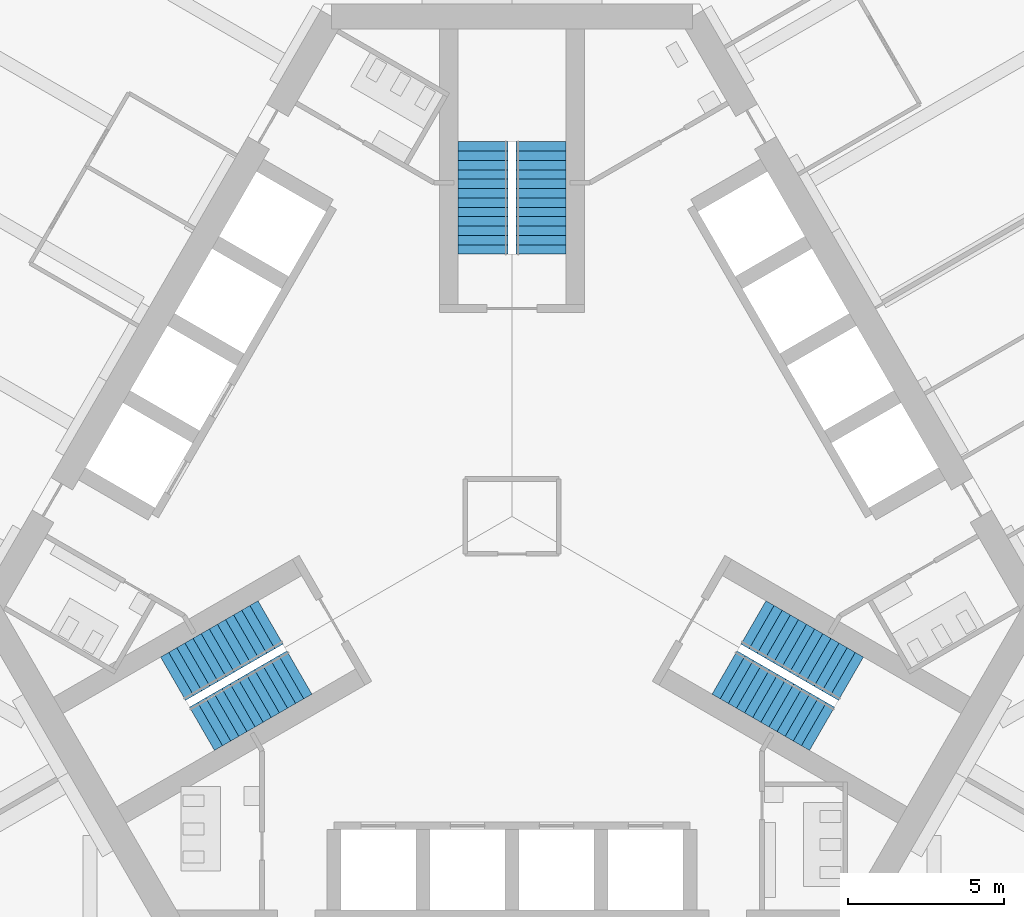
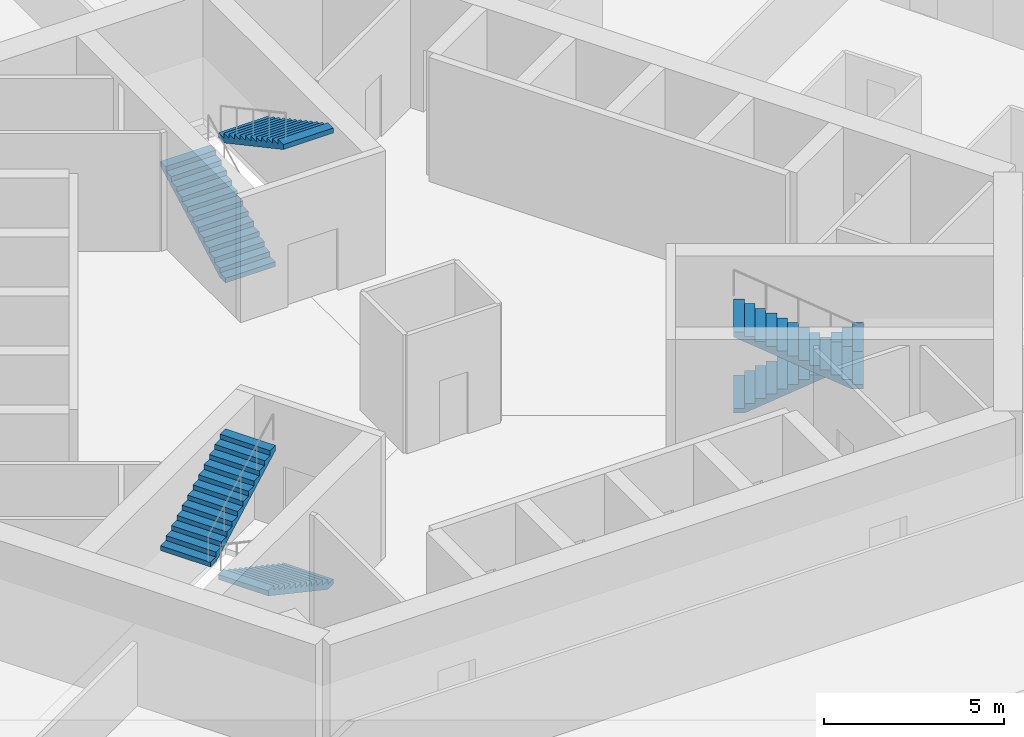
# One storey, part 14 of 19: 6 stair flights, 3 elements without a shape of their own.
"""IFC4 building model written with IfcOpenShell, lengths in metres."""

from ifc_helpers import new_model, si_unit, direction, frame, origin, place, context, subcontext, project, spatial, polyline, outline, extrude, material, type_object, element, aggregate, save


model = new_model("IFC4")

# Units and contexts
model_context = context("Model", 3, precision=1e-05, world=origin(), true_north=direction((0.0, 1.0)))
body_context = subcontext(model_context, "Body", "Model", "MODEL_VIEW")
ifc_project = project(units=[si_unit("LENGTHUNIT", "METRE"), si_unit("AREAUNIT", "SQUARE_METRE"), si_unit("VOLUMEUNIT", "CUBIC_METRE"), si_unit("PLANEANGLEUNIT", "RADIAN"), si_unit("MASSUNIT", "GRAM", prefix="KILO")], contexts=[model_context])

# Site, building, storey
site_placement = place(None, origin())
site = spatial("IfcSite", under=ifc_project, at=site_placement, CompositionType="ELEMENT")
building_placement = place(site_placement, origin())
building = spatial("IfcBuilding", under=site, at=building_placement, Name="Trefoil Bronze Tower", CompositionType="ELEMENT")
storey_placement = place(building_placement, frame((0.0, 0.0, 83.699951171875)))
storey = spatial("IfcBuildingStorey", under=building, at=storey_placement, Name="L19", CompositionType="ELEMENT", Elevation=83.699951171875)

# Stair, stair flights
ifc_material_1 = material(Name="Precast concrete B80", Category="concrete")
stair_type = type_object("IfcStairType", Name="Exit stair 26 risers", PredefinedType="HALF_TURN_STAIR", material=ifc_material_1)
stair_1_placement = place(storey_placement, origin())
stair_1 = element("IfcStair", 1, at=stair_1_placement, inside=storey, type_object=stair_type, Name="Stair ST1 L19", PredefinedType="HALF_TURN_STAIR")
ifc_material_2 = material(Name="Precast concrete B80", Category="concrete")
stair_flight_type = type_object("IfcStairFlightType", Name="Stair flight 1600", PredefinedType="STRAIGHT", material=ifc_material_2)
stair_flight_1_placement = place(storey_placement, frame((7.728515625, -3.39404296875, 0.0), z_axis=(0.0, 0.0, 1.0), x_axis=(0.866025403784, -0.5, 0.0)))
stair_flight_1 = element("IfcStairFlight", 2, at=stair_flight_1_placement, type_object=stair_flight_type, Name="ST1 flight 1", NumberOfRisers=13, NumberOfTreads=12, PredefinedType="STRAIGHT", RiserHeight=0.161538462, TreadLength=0.3, context=body_context, shape_type="SweptSolid", body=[
    extrude(outline(polyline([(0.0, 0.0), (0.0, 0.16162109375), (0.300048828125, 0.16162109375), (0.300048828125, 0.322998046875), (0.60009765625, 0.322998046875), (0.60009765625, 0.484619140625), (0.89990234375, 0.484619140625), (0.89990234375, 0.646240234375), (1.199951171875, 0.646240234375), (1.199951171875, 0.8076171875), (1.5, 0.8076171875), (1.5, 0.96923828125), (1.800048828125, 0.96923828125), (1.800048828125, 1.130859375), (2.10009765625, 1.130859375), (2.10009765625, 1.292236328125), (2.39990234375, 1.292236328125), (2.39990234375, 1.453857421875), (2.699951171875, 1.453857421875), (2.699951171875, 1.615478515625), (3.0, 1.615478515625), (3.0, 1.77685546875), (3.300048828125, 1.77685546875), (3.300048828125, 1.9384765625), (3.60009765625, 1.9384765625), (3.60009765625, 2.10009765625), (3.60009765625, 1.768310546875), (0.316162109375, 0.0), (0.0, 0.0)])), frame((0.0, 0.800048828125, 0.0), z_axis=(0.0, -1.0, 0.0), x_axis=(1.0, 0.0, 0.0)), (0.0, 0.0, 1.0), 1.60009765625),
])
stair_flight_2_placement = place(storey_placement, frame((9.921142578125, -6.796142578125, 2.10009765625), z_axis=(0.0, 0.0, 1.0), x_axis=(-0.866025403784, 0.5, 0.0)))
stair_flight_2 = element("IfcStairFlight", 3, at=stair_flight_2_placement, type_object=stair_flight_type, Name="ST1 flight 2", NumberOfRisers=13, NumberOfTreads=12, PredefinedType="STRAIGHT", RiserHeight=0.161538462, TreadLength=0.3, context=body_context, shape_type="SweptSolid", body=[
    extrude(outline(polyline([(0.0, 0.0), (0.0, 0.16162109375), (0.300048828125, 0.16162109375), (0.300048828125, 0.322998046875), (0.60009765625, 0.322998046875), (0.60009765625, 0.484619140625), (0.89990234375, 0.484619140625), (0.89990234375, 0.646240234375), (1.199951171875, 0.646240234375), (1.199951171875, 0.8076171875), (1.5, 0.8076171875), (1.5, 0.96923828125), (1.800048828125, 0.96923828125), (1.800048828125, 1.130859375), (2.10009765625, 1.130859375), (2.10009765625, 1.292236328125), (2.39990234375, 1.292236328125), (2.39990234375, 1.453857421875), (2.699951171875, 1.453857421875), (2.699951171875, 1.615478515625), (3.0, 1.615478515625), (3.0, 1.77685546875), (3.300048828125, 1.77685546875), (3.300048828125, 1.9384765625), (3.60009765625, 1.9384765625), (3.60009765625, 2.10009765625), (3.60009765625, 1.768310546875), (0.316162109375, 0.0), (0.0, 0.0)])), frame((0.0, 0.800048828125, 0.0), z_axis=(0.0, -1.0, 0.0), x_axis=(1.0, 0.0, 0.0)), (0.0, 0.0, 1.0), 1.60009765625),
])
aggregate(stair_1, [stair_flight_1, stair_flight_2])

stair_2_placement = place(storey_placement, origin())
stair_2 = element("IfcStair", 4, at=stair_2_placement, inside=storey, type_object=stair_type, Name="Stair ST2 L19", PredefinedType="HALF_TURN_STAIR")
stair_flight_3_placement = place(storey_placement, frame((-0.925048828125, 8.389892578125, 0.0), z_axis=(0.0, 0.0, 1.0), x_axis=(0.0, 1.0, 0.0)))
stair_flight_3 = element("IfcStairFlight", 5, at=stair_flight_3_placement, type_object=stair_flight_type, Name="ST2 flight 1", NumberOfRisers=13, NumberOfTreads=12, PredefinedType="STRAIGHT", RiserHeight=0.161538462, TreadLength=0.3, context=body_context, shape_type="SweptSolid", body=[
    extrude(outline(polyline([(0.0, 0.0), (0.0, 0.16162109375), (0.300048828125, 0.16162109375), (0.300048828125, 0.322998046875), (0.60009765625, 0.322998046875), (0.60009765625, 0.484619140625), (0.89990234375, 0.484619140625), (0.89990234375, 0.646240234375), (1.199951171875, 0.646240234375), (1.199951171875, 0.8076171875), (1.5, 0.8076171875), (1.5, 0.96923828125), (1.800048828125, 0.96923828125), (1.800048828125, 1.130859375), (2.10009765625, 1.130859375), (2.10009765625, 1.292236328125), (2.39990234375, 1.292236328125), (2.39990234375, 1.453857421875), (2.699951171875, 1.453857421875), (2.699951171875, 1.615478515625), (3.0, 1.615478515625), (3.0, 1.77685546875), (3.300048828125, 1.77685546875), (3.300048828125, 1.9384765625), (3.60009765625, 1.9384765625), (3.60009765625, 2.10009765625), (3.60009765625, 1.768310546875), (0.316162109375, 0.0), (0.0, 0.0)])), frame((0.0, 0.800048828125, 0.0), z_axis=(0.0, -1.0, 0.0), x_axis=(1.0, 0.0, 0.0)), (0.0, 0.0, 1.0), 1.60009765625),
])
stair_flight_4_placement = place(storey_placement, frame((0.925048828125, 11.989990234375, 2.10009765625), z_axis=(0.0, 0.0, 1.0), x_axis=(0.0, -1.0, 0.0)))
stair_flight_4 = element("IfcStairFlight", 6, at=stair_flight_4_placement, type_object=stair_flight_type, Name="ST2 flight 2", NumberOfRisers=13, NumberOfTreads=12, PredefinedType="STRAIGHT", RiserHeight=0.161538462, TreadLength=0.3, context=body_context, shape_type="SweptSolid", body=[
    extrude(outline(polyline([(0.0, 0.0), (0.0, 0.16162109375), (0.300048828125, 0.16162109375), (0.300048828125, 0.322998046875), (0.60009765625, 0.322998046875), (0.60009765625, 0.484619140625), (0.89990234375, 0.484619140625), (0.89990234375, 0.646240234375), (1.199951171875, 0.646240234375), (1.199951171875, 0.8076171875), (1.5, 0.8076171875), (1.5, 0.96923828125), (1.800048828125, 0.96923828125), (1.800048828125, 1.130859375), (2.10009765625, 1.130859375), (2.10009765625, 1.292236328125), (2.39990234375, 1.292236328125), (2.39990234375, 1.453857421875), (2.699951171875, 1.453857421875), (2.699951171875, 1.615478515625), (3.0, 1.615478515625), (3.0, 1.77685546875), (3.300048828125, 1.77685546875), (3.300048828125, 1.9384765625), (3.60009765625, 1.9384765625), (3.60009765625, 2.10009765625), (3.60009765625, 1.768310546875), (0.316162109375, 0.0), (0.0, 0.0)])), frame((0.0, 0.800048828125, 0.0), z_axis=(0.0, -1.0, 0.0), x_axis=(1.0, 0.0, 0.0)), (0.0, 0.0, 1.0), 1.60009765625),
])
aggregate(stair_2, [stair_flight_3, stair_flight_4])

stair_3_placement = place(storey_placement, origin())
stair_3 = element("IfcStair", 7, at=stair_3_placement, inside=storey, type_object=stair_type, Name="Stair ST3 L19", PredefinedType="HALF_TURN_STAIR")
stair_flight_5_placement = place(storey_placement, frame((-6.803466796875, -4.99609375, 0.0), z_axis=(0.0, 0.0, 1.0), x_axis=(-0.866025403784, -0.5, 0.0)))
stair_flight_5 = element("IfcStairFlight", 8, at=stair_flight_5_placement, type_object=stair_flight_type, Name="ST3 flight 1", NumberOfRisers=13, NumberOfTreads=12, PredefinedType="STRAIGHT", RiserHeight=0.161538462, TreadLength=0.3, context=body_context, shape_type="SweptSolid", body=[
    extrude(outline(polyline([(0.0, 0.0), (0.0, 0.16162109375), (0.300048828125, 0.16162109375), (0.300048828125, 0.322998046875), (0.60009765625, 0.322998046875), (0.60009765625, 0.484619140625), (0.89990234375, 0.484619140625), (0.89990234375, 0.646240234375), (1.199951171875, 0.646240234375), (1.199951171875, 0.8076171875), (1.5, 0.8076171875), (1.5, 0.96923828125), (1.800048828125, 0.96923828125), (1.800048828125, 1.130859375), (2.10009765625, 1.130859375), (2.10009765625, 1.292236328125), (2.39990234375, 1.292236328125), (2.39990234375, 1.453857421875), (2.699951171875, 1.453857421875), (2.699951171875, 1.615478515625), (3.0, 1.615478515625), (3.0, 1.77685546875), (3.300048828125, 1.77685546875), (3.300048828125, 1.9384765625), (3.60009765625, 1.9384765625), (3.60009765625, 2.10009765625), (3.60009765625, 1.768310546875), (0.316162109375, 0.0), (0.0, 0.0)])), frame((0.0, 0.800048828125, 0.0), z_axis=(0.0, -1.0, 0.0), x_axis=(1.0, 0.0, 0.0)), (0.0, 0.0, 1.0), 1.60009765625),
])
stair_flight_6_placement = place(storey_placement, frame((-10.84619140625, -5.19384765625, 2.10009765625), z_axis=(0.0, 0.0, 1.0), x_axis=(0.866025403784, 0.5, 0.0)))
stair_flight_6 = element("IfcStairFlight", 9, at=stair_flight_6_placement, type_object=stair_flight_type, Name="ST3 flight 2", NumberOfRisers=13, NumberOfTreads=12, PredefinedType="STRAIGHT", RiserHeight=0.161538462, TreadLength=0.3, context=body_context, shape_type="SweptSolid", body=[
    extrude(outline(polyline([(0.0, 0.0), (0.0, 0.16162109375), (0.300048828125, 0.16162109375), (0.300048828125, 0.322998046875), (0.60009765625, 0.322998046875), (0.60009765625, 0.484619140625), (0.89990234375, 0.484619140625), (0.89990234375, 0.646240234375), (1.199951171875, 0.646240234375), (1.199951171875, 0.8076171875), (1.5, 0.8076171875), (1.5, 0.96923828125), (1.800048828125, 0.96923828125), (1.800048828125, 1.130859375), (2.10009765625, 1.130859375), (2.10009765625, 1.292236328125), (2.39990234375, 1.292236328125), (2.39990234375, 1.453857421875), (2.699951171875, 1.453857421875), (2.699951171875, 1.615478515625), (3.0, 1.615478515625), (3.0, 1.77685546875), (3.300048828125, 1.77685546875), (3.300048828125, 1.9384765625), (3.60009765625, 1.9384765625), (3.60009765625, 2.10009765625), (3.60009765625, 1.768310546875), (0.316162109375, 0.0), (0.0, 0.0)])), frame((0.0, 0.800048828125, 0.0), z_axis=(0.0, -1.0, 0.0), x_axis=(1.0, 0.0, 0.0)), (0.0, 0.0, 1.0), 1.60009765625),
])
aggregate(stair_3, [stair_flight_5, stair_flight_6])

save(model, "model.ifc")
